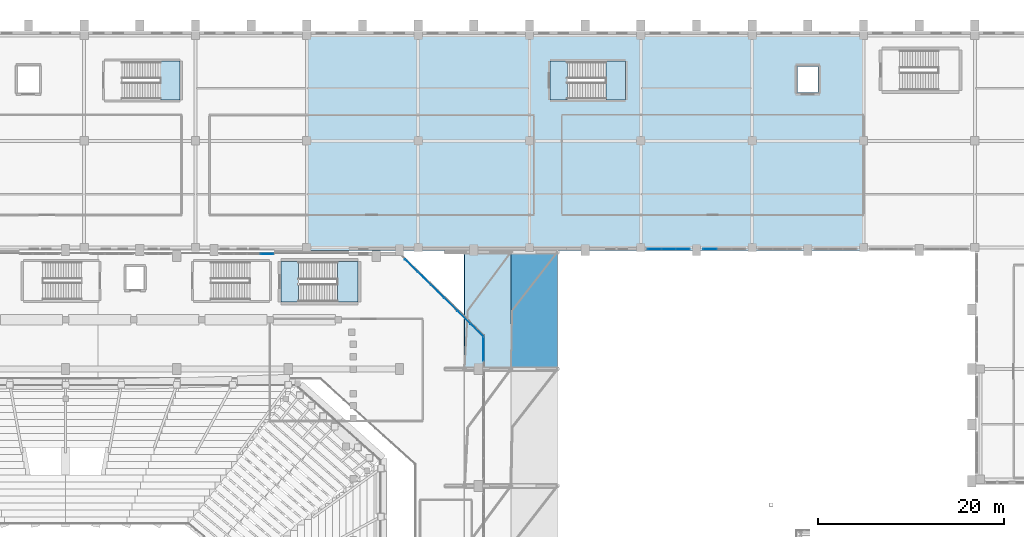
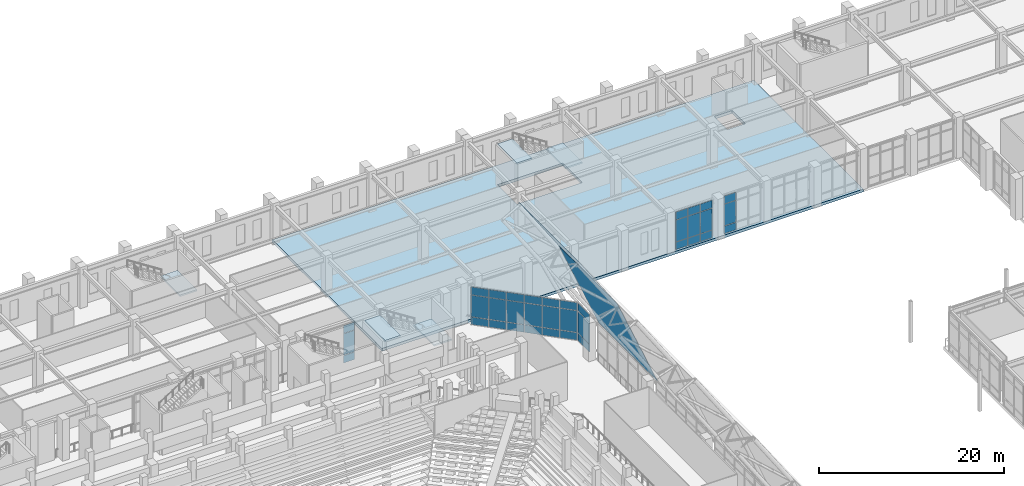
# One storey, part 108 of 159: 38 plates, 6 slabs, 8 elements without a shape of their own.
"""IFC4 building model written with IfcOpenShell, lengths in metres."""

from ifc_helpers import new_model, si_unit, derived_unit, direction, frame, origin, origin_2d, place, context, subcontext, project, spatial, polyline, rectangle, outline, extrude, material, layer, layer_set, type_object, element, aggregate, save


model = new_model("IFC4")

# Units and contexts
model_context = context("Model", 3, precision=1e-05, world=origin(), true_north=direction((0.0, 1.0)))
body_context = subcontext(model_context, "Body", "Model", "MODEL_VIEW")
ifc_project = project(units=[si_unit("LENGTHUNIT", "METRE"), si_unit("AREAUNIT", "SQUARE_METRE"), si_unit("VOLUMEUNIT", "CUBIC_METRE"), si_unit("PLANEANGLEUNIT", "RADIAN"), si_unit("MASSUNIT", "GRAM", prefix="KILO"), derived_unit("THERMALTRANSMITTANCEUNIT", [(si_unit("MASSUNIT", "GRAM", prefix="KILO"), 1), (si_unit("TIMEUNIT", "SECOND"), -3), (si_unit("THERMODYNAMICTEMPERATUREUNIT", "KELVIN"), -1)])], contexts=[model_context])

# Site, building, storey
site_placement = place(None, origin())
site = spatial("IfcSite", under=ifc_project, at=site_placement, CompositionType="ELEMENT")
building_placement = place(site_placement, origin())
building = spatial("IfcBuilding", under=site, at=building_placement, Name="Valcora Ridge Arena", CompositionType="ELEMENT")
storey_placement = place(building_placement, frame((0.0, 0.0, 6.0)))
storey = spatial("IfcBuildingStorey", under=building, at=storey_placement, Name="L01", CompositionType="ELEMENT", Elevation=6.0)

# Stair, slab
ifc_material_1 = material(Name="Concrete C40/50", Category="concrete")
stair_type_1 = type_object("IfcStairType", Name="TY-STAIR-ES09-54", PredefinedType="HALF_TURN_STAIR", material=ifc_material_1)
stair_1_placement = place(storey_placement, origin())
stair_1 = element("IfcStair", 1, at=stair_1_placement, inside=storey, type_object=stair_type_1, Name="ES09-54 STR-ES-0031", PredefinedType="HALF_TURN_STAIR")
ifc_layer_1 = layer(ifc_material_1, 0.199951171875, Name="Concrete C40/50")
ifc_layer_set_1 = layer_set([ifc_layer_1], Name="Concrete C40/50")
slab_type_1 = type_object("IfcSlabType", Name="TY-LAND-ES09-54", PredefinedType="LANDING", material=ifc_layer_set_1)
slab_1_placement = place(storey_placement, frame((0.0, 0.0, 2.5)))
slab_1 = element("IfcSlab", 2, at=slab_1_placement, type_object=slab_type_1, Name="ES09-54 landing 1", PredefinedType="LANDING", context=body_context, shape_type="SweptSolid", body=[
    extrude(outline(polyline([(68.239990234375, 124.60205078125), (70.35791015625, 124.60205078125), (70.35791015625, 128.798095703125), (68.239990234375, 128.798095703125), (68.239990234375, 124.60205078125)])), origin(), (0.0, 0.0, 1.0), 0.199951171875),
])
aggregate(stair_1, [slab_1])

# Stair, slabs
stair_type_2 = type_object("IfcStairType", Name="TY-STAIR-ES10-54", PredefinedType="HALF_TURN_STAIR", material=ifc_material_1)
stair_2_placement = place(storey_placement, origin())
stair_2 = element("IfcStair", 3, at=stair_2_placement, inside=storey, type_object=stair_type_2, Name="ES10-54 STR-ES-0034", PredefinedType="HALF_TURN_STAIR")
ifc_layer_2 = layer(ifc_material_1, 0.199951171875, Name="Concrete C40/50")
ifc_layer_set_2 = layer_set([ifc_layer_2], Name="Concrete C40/50")
slab_type_2 = type_object("IfcSlabType", Name="TY-LAND-ES10-54", PredefinedType="LANDING", material=ifc_layer_set_2)
slab_2_placement = place(storey_placement, frame((0.0, 0.0, 2.5)))
slab_2 = element("IfcSlab", 4, at=slab_2_placement, type_object=slab_type_2, Name="ES10-54 landing 1", PredefinedType="LANDING", context=body_context, shape_type="SweptSolid", body=[
    extrude(outline(polyline([(116.239990234375, 124.60205078125), (118.35791015625, 124.60205078125), (118.35791015625, 128.798095703125), (116.239990234375, 128.798095703125), (116.239990234375, 124.60205078125)])), origin(), (0.0, 0.0, 1.0), 0.199951171875),
])
slab_3_placement = place(storey_placement, frame((0.0, 0.0, 5.199951171875)))
slab_3 = element("IfcSlab", 5, at=slab_3_placement, type_object=slab_type_2, Name="ES10-54 landing 2", PredefinedType="LANDING", context=body_context, shape_type="SweptSolid", body=[
    extrude(outline(polyline([(110.201904296875, 124.60205078125), (112.080078125, 124.60205078125), (112.080078125, 128.798095703125), (110.201904296875, 128.798095703125), (110.201904296875, 124.60205078125)])), origin(), (0.0, 0.0, 1.0), 0.199951171875),
])
aggregate(stair_2, [slab_2, slab_3])

stair_type_3 = type_object("IfcStairType", Name="TY-STAIR-ST04-54", PredefinedType="HALF_TURN_STAIR", material=ifc_material_1)
stair_3_placement = place(storey_placement, origin())
stair_3 = element("IfcStair", 6, at=stair_3_placement, inside=storey, type_object=stair_type_3, Name="ST04-54 STR-CR-0020", PredefinedType="HALF_TURN_STAIR")
ifc_layer_3 = layer(ifc_material_1, 0.199951171875, Name="Concrete C40/50")
ifc_layer_set_3 = layer_set([ifc_layer_3], Name="Concrete C40/50")
slab_type_3 = type_object("IfcSlabType", Name="TY-LAND-ST04-54", PredefinedType="LANDING", material=ifc_layer_set_3)
slab_4_placement = place(storey_placement, frame((0.0, 0.0, 2.5)))
slab_4 = element("IfcSlab", 7, at=slab_4_placement, type_object=slab_type_3, Name="ST04-54 landing 1", PredefinedType="LANDING", context=body_context, shape_type="SweptSolid", body=[
    extrude(outline(polyline([(87.2900390625, 102.802001953125), (89.51806640625, 102.802001953125), (89.51806640625, 107.197998046875), (87.2900390625, 107.197998046875), (87.2900390625, 102.802001953125)])), origin(), (0.0, 0.0, 1.0), 0.199951171875),
])
slab_5_placement = place(storey_placement, frame((0.0, 0.0, 5.199951171875)))
slab_5 = element("IfcSlab", 8, at=slab_5_placement, type_object=slab_type_3, Name="ST04-54 landing 2", PredefinedType="LANDING", context=body_context, shape_type="SweptSolid", body=[
    extrude(outline(polyline([(81.201904296875, 102.802001953125), (83.1298828125, 102.802001953125), (83.1298828125, 107.197998046875), (81.201904296875, 107.197998046875), (81.201904296875, 102.802001953125)])), origin(), (0.0, 0.0, 1.0), 0.199951171875),
])
aggregate(stair_3, [slab_4, slab_5])

# Plates
ifc_material_2 = material(Name="Steel ASTM A572 Grade 50", Category="steel")
ifc_layer_4 = layer(ifc_material_2, 0.048095703125, Name="Steel ASTM A572 Grade 50")
ifc_layer_set_4 = layer_set([ifc_layer_4], Name="Steel ASTM A572 Grade 50")
plate_type_1 = type_object("IfcPlateType", Name="TY-PLATE-PL-SKIRT-13", PredefinedType="SHEET", material=ifc_layer_set_4)
plate_1_placement = place(storey_placement, frame((101.0, 95.60009765625, 13.45361328125), z_axis=(0.831958588032, 0.0, 0.554837731053), x_axis=(0.554837731053, 0.0, -0.831958588032)))
element("IfcPlate", 9, at=plate_1_placement, inside=storey, type_object=plate_type_1, Name="PL-SKIRT-13 PLT-RF-0013", PredefinedType="SHEET", context=body_context, shape_type="SweptSolid", body=[
    extrude(outline(polyline([(0.0, 0.0), (9.0116438017177, 0.0), (9.0116438017177, 12.599853515625), (0.0, 12.599853515625), (0.0, 0.0)])), origin(), (0.0, 0.0, -1.0), 0.048095703125),
])
ifc_layer_5 = layer(ifc_material_2, 0.048095703125, Name="Steel ASTM A572 Grade 50")
ifc_layer_set_5 = layer_set([ifc_layer_5], Name="Steel ASTM A572 Grade 50")
plate_type_2 = type_object("IfcPlateType", Name="TY-PLATE-PL-SKIRT-14", PredefinedType="SHEET", material=ifc_layer_set_5)
plate_2_placement = place(storey_placement, frame((106.0, 95.60009765625, 5.956298828125), z_axis=(0.922302243293, 0.0, 0.386469367501), x_axis=(0.386469367501, 0.0, -0.922302243293)))
element("IfcPlate", 10, at=plate_2_placement, inside=storey, type_object=plate_type_2, Name="PL-SKIRT-14 PLT-RF-0014", PredefinedType="SHEET", context=body_context, shape_type="SweptSolid", body=[
    extrude(outline(polyline([(0.0, 0.0), (12.963536535956578, 0.0), (12.963536535956578, 12.599853515624996), (0.0, 12.599853515624996), (0.0, 0.0)])), origin(), (0.0, 0.0, -1.0), 0.048095703125),
])

# Curtain wall, plates
ifc_material_3 = material(Name="Anodised dark bronze architectural aluminium 6063-T6", Category="aluminium")
ifc_layer_6 = layer(ifc_material_3, 0.179931640625, Name="Anodised dark bronze architectural aluminium 6063-T6")
ifc_layer_set_6 = layer_set([ifc_layer_6], Name="Anodised dark bronze architectural aluminium 6063-T6")
curtain_wall_type_1 = type_object("IfcCurtainWallType", Name="TY-CURTAINWALL-CW-V1-GOTH-058X50", PredefinedType="NOTDEFINED", material=ifc_layer_set_6)
curtain_wall_1_placement = place(storey_placement, origin())
curtain_wall_1 = element("IfcCurtainWall", 11, at=curtain_wall_1_placement, inside=storey, type_object=curtain_wall_type_1, Name="CW-V1-GOTH-058X50 CW-0105", PredefinedType="NOTDEFINED")
ifc_material_4 = material(Name="Low-iron solar-control double glazing SHGC 0.28", Category="glass")
ifc_layer_7 = layer(ifc_material_4, 0.031982421875, Name="Low-iron solar-control double glazing SHGC 0.28")
ifc_layer_set_7 = layer_set([ifc_layer_7], Name="Low-iron solar-control double glazing SHGC 0.28")
plate_type_3 = type_object("IfcPlateType", Name="TY-PLT-CWP-1350X0960", PredefinedType="CURTAIN_PANEL", material=ifc_layer_set_7)
plate_3_placement = place(storey_placement, frame((79.715087890625, 108.0, 0.06005859375), z_axis=(0.0, 0.0, 1.0), x_axis=(1.0, 0.0, 0.0)))
plate_3 = element("IfcPlate", 12, at=plate_3_placement, type_object=plate_type_3, Name="CW-0105/P03-00", PredefinedType="CURTAIN_PANEL", context=body_context, shape_type="SweptSolid", body=[
    extrude(rectangle(XDim=1.35009765625, YDim=0.031982421875, at=origin_2d()), origin(), (0.0, 0.0, 1.0), 0.9599609375),
])
ifc_layer_8 = layer(ifc_material_4, 0.031982421875, Name="Low-iron solar-control double glazing SHGC 0.28")
ifc_layer_set_8 = layer_set([ifc_layer_8], Name="Low-iron solar-control double glazing SHGC 0.28")
plate_type_4 = type_object("IfcPlateType", Name="TY-PLT-CWP-1350X1010", PredefinedType="CURTAIN_PANEL", material=ifc_layer_set_8)
plate_4_placement = place(storey_placement, frame((79.715087890625, 108.0, 3.97021484375), z_axis=(0.0, 0.0, 1.0), x_axis=(1.0, 0.0, 0.0)))
plate_4 = element("IfcPlate", 13, at=plate_4_placement, type_object=plate_type_4, Name="CW-0105/P03-02", PredefinedType="CURTAIN_PANEL", context=body_context, shape_type="SweptSolid", body=[
    extrude(rectangle(XDim=1.35009765625, YDim=0.031982421875, at=origin_2d()), origin(), (0.0, 0.0, 1.0), 1.010009765625),
])
ifc_layer_9 = layer(ifc_material_4, 0.031982421875, Name="Low-iron solar-control double glazing SHGC 0.28")
ifc_layer_set_9 = layer_set([ifc_layer_9], Name="Low-iron solar-control double glazing SHGC 0.28")
plate_type_5 = type_object("IfcPlateType", Name="TY-PLT-CWP-1350X2830", PredefinedType="CURTAIN_PANEL", material=ifc_layer_set_9)
plate_5_placement = place(storey_placement, frame((79.715087890625, 108.0, 1.080078125), z_axis=(0.0, 0.0, 1.0), x_axis=(1.0, 0.0, 0.0)))
plate_5 = element("IfcPlate", 14, at=plate_5_placement, type_object=plate_type_5, Name="CW-0105/P03-01", PredefinedType="CURTAIN_PANEL", context=body_context, shape_type="SweptSolid", body=[
    extrude(rectangle(XDim=1.35009765625, YDim=0.031982421875, at=origin_2d()), origin(), (0.0, 0.0, 1.0), 2.830078125),
])
aggregate(curtain_wall_1, [plate_3, plate_5, plate_4])

ifc_layer_10 = layer(ifc_material_3, 0.14990234375, Name="Anodised dark bronze architectural aluminium 6063-T6")
ifc_layer_set_10 = layer_set([ifc_layer_10], Name="Anodised dark bronze architectural aluminium 6063-T6")
curtain_wall_type_2 = type_object("IfcCurtainWallType", Name="TY-CURTAINWALL-CW-V5-MED-046X50", PredefinedType="NOTDEFINED", material=ifc_layer_set_10)
curtain_wall_2_placement = place(storey_placement, origin())
curtain_wall_2 = element("IfcCurtainWall", 15, at=curtain_wall_2_placement, inside=storey, type_object=curtain_wall_type_2, Name="CW-V5-MED-046X50 CW-0316", PredefinedType="NOTDEFINED")
ifc_layer_11 = layer(ifc_material_4, 0.028076171875, Name="Low-iron solar-control double glazing SHGC 0.28")
ifc_layer_set_11 = layer_set([ifc_layer_11], Name="Low-iron solar-control double glazing SHGC 0.28")
plate_type_6 = type_object("IfcPlateType", Name="TY-PLT-CWP-1465X0975", PredefinedType="CURTAIN_PANEL", material=ifc_layer_set_11)
plate_6_placement = place(storey_placement, frame((121.472412109375, 108.550048828125, 0.050048828125), z_axis=(0.0, 0.0, 1.0), x_axis=(1.0, 0.0, 0.0)))
plate_6 = element("IfcPlate", 16, at=plate_6_placement, type_object=plate_type_6, Name="CW-0316/P00-00", PredefinedType="CURTAIN_PANEL", context=body_context, shape_type="SweptSolid", body=[
    extrude(rectangle(XDim=1.465087890625, YDim=0.028076171875, at=origin_2d()), origin(), (0.0, 0.0, 1.0), 0.97509765625),
])
plate_7_placement = place(storey_placement, frame((124.527587890625, 108.550048828125, 0.050048828125), z_axis=(0.0, 0.0, 1.0), x_axis=(1.0, 0.0, 0.0)))
plate_7 = element("IfcPlate", 17, at=plate_7_placement, type_object=plate_type_6, Name="CW-0316/P02-00", PredefinedType="CURTAIN_PANEL", context=body_context, shape_type="SweptSolid", body=[
    extrude(rectangle(XDim=1.465087890625, YDim=0.028076171875, at=origin_2d()), origin(), (0.0, 0.0, 1.0), 0.97509765625),
])

# Curtain wall, plate
curtain_wall_3_placement = place(storey_placement, origin())
curtain_wall_3 = element("IfcCurtainWall", 18, at=curtain_wall_3_placement, inside=storey, type_object=curtain_wall_type_2, Name="CW-V5-MED-046X50 CW-0317", PredefinedType="NOTDEFINED")
plate_8_placement = place(storey_placement, frame((127.472412109375, 108.550048828125, 0.050048828125), z_axis=(0.0, 0.0, 1.0), x_axis=(1.0, 0.0, 0.0)))
plate_8 = element("IfcPlate", 19, at=plate_8_placement, type_object=plate_type_6, Name="CW-0317/P00-00", PredefinedType="CURTAIN_PANEL", context=body_context, shape_type="SweptSolid", body=[
    extrude(rectangle(XDim=1.465087890625, YDim=0.028076171875, at=origin_2d()), origin(), (0.0, 0.0, 1.0), 0.97509765625),
])

# Plate
ifc_layer_12 = layer(ifc_material_4, 0.028076171875, Name="Low-iron solar-control double glazing SHGC 0.28")
ifc_layer_set_12 = layer_set([ifc_layer_12], Name="Low-iron solar-control double glazing SHGC 0.28")
plate_type_7 = type_object("IfcPlateType", Name="TY-PLT-CWP-1465X1025", PredefinedType="CURTAIN_PANEL", material=ifc_layer_set_12)
plate_9_placement = place(storey_placement, frame((121.472412109375, 108.550048828125, 3.965087890625), z_axis=(0.0, 0.0, 1.0), x_axis=(1.0, 0.0, 0.0)))
plate_9 = element("IfcPlate", 20, at=plate_9_placement, type_object=plate_type_7, Name="CW-0316/P00-02", PredefinedType="CURTAIN_PANEL", context=body_context, shape_type="SweptSolid", body=[
    extrude(rectangle(XDim=1.465087890625, YDim=0.028076171875, at=origin_2d()), origin(), (0.0, 0.0, 1.0), 1.02490234375),
])

plate_10_placement = place(storey_placement, frame((124.527587890625, 108.550048828125, 3.965087890625), z_axis=(0.0, 0.0, 1.0), x_axis=(1.0, 0.0, 0.0)))
plate_10 = element("IfcPlate", 21, at=plate_10_placement, type_object=plate_type_7, Name="CW-0316/P02-02", PredefinedType="CURTAIN_PANEL", context=body_context, shape_type="SweptSolid", body=[
    extrude(rectangle(XDim=1.465087890625, YDim=0.028076171875, at=origin_2d()), origin(), (0.0, 0.0, 1.0), 1.02490234375),
])

plate_11_placement = place(storey_placement, frame((127.472412109375, 108.550048828125, 3.965087890625), z_axis=(0.0, 0.0, 1.0), x_axis=(1.0, 0.0, 0.0)))
plate_11 = element("IfcPlate", 22, at=plate_11_placement, type_object=plate_type_7, Name="CW-0317/P00-02", PredefinedType="CURTAIN_PANEL", context=body_context, shape_type="SweptSolid", body=[
    extrude(rectangle(XDim=1.465087890625, YDim=0.028076171875, at=origin_2d()), origin(), (0.0, 0.0, 1.0), 1.02490234375),
])

ifc_layer_13 = layer(ifc_material_4, 0.028076171875, Name="Low-iron solar-control double glazing SHGC 0.28")
ifc_layer_set_13 = layer_set([ifc_layer_13], Name="Low-iron solar-control double glazing SHGC 0.28")
plate_type_8 = type_object("IfcPlateType", Name="TY-PLT-CWP-1465X2840", PredefinedType="CURTAIN_PANEL", material=ifc_layer_set_13)
plate_12_placement = place(storey_placement, frame((121.472412109375, 108.550048828125, 1.0751953125), z_axis=(0.0, 0.0, 1.0), x_axis=(1.0, 0.0, 0.0)))
plate_12 = element("IfcPlate", 23, at=plate_12_placement, type_object=plate_type_8, Name="CW-0316/P00-01", PredefinedType="CURTAIN_PANEL", context=body_context, shape_type="SweptSolid", body=[
    extrude(rectangle(XDim=1.465087890625, YDim=0.028076171875, at=origin_2d()), origin(), (0.0, 0.0, 1.0), 2.840087890625),
])

plate_13_placement = place(storey_placement, frame((124.527587890625, 108.550048828125, 1.0751953125), z_axis=(0.0, 0.0, 1.0), x_axis=(1.0, 0.0, 0.0)))
plate_13 = element("IfcPlate", 24, at=plate_13_placement, type_object=plate_type_8, Name="CW-0316/P02-01", PredefinedType="CURTAIN_PANEL", context=body_context, shape_type="SweptSolid", body=[
    extrude(rectangle(XDim=1.465087890625, YDim=0.028076171875, at=origin_2d()), origin(), (0.0, 0.0, 1.0), 2.840087890625),
])

plate_14_placement = place(storey_placement, frame((127.472412109375, 108.550048828125, 1.0751953125), z_axis=(0.0, 0.0, 1.0), x_axis=(1.0, 0.0, 0.0)))
plate_14 = element("IfcPlate", 25, at=plate_14_placement, type_object=plate_type_8, Name="CW-0317/P00-01", PredefinedType="CURTAIN_PANEL", context=body_context, shape_type="SweptSolid", body=[
    extrude(rectangle(XDim=1.465087890625, YDim=0.028076171875, at=origin_2d()), origin(), (0.0, 0.0, 1.0), 2.840087890625),
])

aggregate(curtain_wall_3, [plate_8, plate_14, plate_11])

ifc_layer_14 = layer(ifc_material_4, 0.028076171875, Name="Low-iron solar-control double glazing SHGC 0.28")
ifc_layer_set_14 = layer_set([ifc_layer_14], Name="Low-iron solar-control double glazing SHGC 0.28")
plate_type_9 = type_object("IfcPlateType", Name="TY-PLT-CWP-1490X0975", PredefinedType="CURTAIN_PANEL", material=ifc_layer_set_14)
plate_15_placement = place(storey_placement, frame((123.0, 108.550048828125, 0.050048828125), z_axis=(0.0, 0.0, 1.0), x_axis=(1.0, 0.0, 0.0)))
plate_15 = element("IfcPlate", 26, at=plate_15_placement, type_object=plate_type_9, Name="CW-0316/P01-00", PredefinedType="CURTAIN_PANEL", context=body_context, shape_type="SweptSolid", body=[
    extrude(rectangle(XDim=1.489990234375, YDim=0.028076171875, at=origin_2d()), origin(), (0.0, 0.0, 1.0), 0.97509765625),
])

ifc_layer_15 = layer(ifc_material_4, 0.028076171875, Name="Low-iron solar-control double glazing SHGC 0.28")
ifc_layer_set_15 = layer_set([ifc_layer_15], Name="Low-iron solar-control double glazing SHGC 0.28")
plate_type_10 = type_object("IfcPlateType", Name="TY-PLT-CWP-1490X1025", PredefinedType="CURTAIN_PANEL", material=ifc_layer_set_15)
plate_16_placement = place(storey_placement, frame((123.0, 108.550048828125, 3.965087890625), z_axis=(0.0, 0.0, 1.0), x_axis=(1.0, 0.0, 0.0)))
plate_16 = element("IfcPlate", 27, at=plate_16_placement, type_object=plate_type_10, Name="CW-0316/P01-02", PredefinedType="CURTAIN_PANEL", context=body_context, shape_type="SweptSolid", body=[
    extrude(rectangle(XDim=1.489990234375, YDim=0.028076171875, at=origin_2d()), origin(), (0.0, 0.0, 1.0), 1.02490234375),
])

ifc_layer_16 = layer(ifc_material_4, 0.028076171875, Name="Low-iron solar-control double glazing SHGC 0.28")
ifc_layer_set_16 = layer_set([ifc_layer_16], Name="Low-iron solar-control double glazing SHGC 0.28")
plate_type_11 = type_object("IfcPlateType", Name="TY-PLT-CWP-1490X2840", PredefinedType="CURTAIN_PANEL", material=ifc_layer_set_16)
plate_17_placement = place(storey_placement, frame((123.0, 108.550048828125, 1.0751953125), z_axis=(0.0, 0.0, 1.0), x_axis=(1.0, 0.0, 0.0)))
plate_17 = element("IfcPlate", 28, at=plate_17_placement, type_object=plate_type_11, Name="CW-0316/P01-01", PredefinedType="CURTAIN_PANEL", context=body_context, shape_type="SweptSolid", body=[
    extrude(rectangle(XDim=1.489990234375, YDim=0.028076171875, at=origin_2d()), origin(), (0.0, 0.0, 1.0), 2.840087890625),
])

aggregate(curtain_wall_2, [plate_6, plate_12, plate_9, plate_15, plate_17, plate_16, plate_7, plate_13, plate_10])

# Curtain wall, plates
ifc_layer_17 = layer(ifc_material_3, 0.14990234375, Name="Anodised dark bronze architectural aluminium 6063-T6")
ifc_layer_set_17 = layer_set([ifc_layer_17], Name="Anodised dark bronze architectural aluminium 6063-T6")
curtain_wall_type_3 = type_object("IfcCurtainWallType", Name="TY-CURTAINWALL-CW-V1-EAST-119X50", PredefinedType="NOTDEFINED", material=ifc_layer_set_17)
curtain_wall_4_placement = place(storey_placement, origin())
curtain_wall_4 = element("IfcCurtainWall", 29, at=curtain_wall_4_placement, inside=storey, type_object=curtain_wall_type_3, Name="CW-V1-EAST-119X50 CW-0113", PredefinedType="NOTDEFINED")
ifc_layer_18 = layer(ifc_material_4, 0.028076171875, Name="Low-iron solar-control double glazing SHGC 0.28")
ifc_layer_set_18 = layer_set([ifc_layer_18], Name="Low-iron solar-control double glazing SHGC 0.28")
plate_type_12 = type_object("IfcPlateType", Name="TY-PLT-CWP-1911X0975", PredefinedType="CURTAIN_PANEL", material=ifc_layer_set_18)
plate_18_placement = place(storey_placement, frame((102.333740234375, 99.788818359375, 0.050048828125), z_axis=(0.0, 0.0, 1.0), x_axis=(-0.712327450466, 0.701847279194, 0.0)))
plate_18 = element("IfcPlate", 30, at=plate_18_placement, type_object=plate_type_12, Name="CW-0113/P00-00", PredefinedType="CURTAIN_PANEL", context=body_context, shape_type="SweptSolid", body=[
    extrude(rectangle(XDim=1.910888671875, YDim=0.028076171875, at=origin_2d()), origin(), (0.0, 0.0, 1.0), 0.97509765625),
])
plate_19_placement = place(storey_placement, frame((95.276611328125, 106.741943359375, 0.050048828125), z_axis=(0.0, 0.0, 1.0), x_axis=(-0.712327450466, 0.701847279194, 0.0)))
plate_19 = element("IfcPlate", 31, at=plate_19_placement, type_object=plate_type_12, Name="CW-0113/P05-00", PredefinedType="CURTAIN_PANEL", context=body_context, shape_type="SweptSolid", body=[
    extrude(rectangle(XDim=1.910888671875, YDim=0.028076171875, at=origin_2d()), origin(), (0.0, 0.0, 1.0), 0.97509765625),
])
ifc_layer_19 = layer(ifc_material_4, 0.028076171875, Name="Low-iron solar-control double glazing SHGC 0.28")
ifc_layer_set_19 = layer_set([ifc_layer_19], Name="Low-iron solar-control double glazing SHGC 0.28")
plate_type_13 = type_object("IfcPlateType", Name="TY-PLT-CWP-1911X1025", PredefinedType="CURTAIN_PANEL", material=ifc_layer_set_19)
plate_20_placement = place(storey_placement, frame((102.333740234375, 99.788818359375, 3.965087890625), z_axis=(0.0, 0.0, 1.0), x_axis=(-0.712327450466, 0.701847279194, 0.0)))
plate_20 = element("IfcPlate", 32, at=plate_20_placement, type_object=plate_type_13, Name="CW-0113/P00-02", PredefinedType="CURTAIN_PANEL", context=body_context, shape_type="SweptSolid", body=[
    extrude(rectangle(XDim=1.910888671875, YDim=0.028076171875, at=origin_2d()), origin(), (0.0, 0.0, 1.0), 1.02490234375),
])
plate_21_placement = place(storey_placement, frame((95.276611328125, 106.741943359375, 3.965087890625), z_axis=(0.0, 0.0, 1.0), x_axis=(-0.712327450466, 0.701847279194, 0.0)))
plate_21 = element("IfcPlate", 33, at=plate_21_placement, type_object=plate_type_13, Name="CW-0113/P05-02", PredefinedType="CURTAIN_PANEL", context=body_context, shape_type="SweptSolid", body=[
    extrude(rectangle(XDim=1.910888671875, YDim=0.028076171875, at=origin_2d()), origin(), (0.0, 0.0, 1.0), 1.02490234375),
])
ifc_layer_20 = layer(ifc_material_4, 0.028076171875, Name="Low-iron solar-control double glazing SHGC 0.28")
ifc_layer_set_20 = layer_set([ifc_layer_20], Name="Low-iron solar-control double glazing SHGC 0.28")
plate_type_14 = type_object("IfcPlateType", Name="TY-PLT-CWP-1911X2840", PredefinedType="CURTAIN_PANEL", material=ifc_layer_set_20)
plate_22_placement = place(storey_placement, frame((102.333740234375, 99.788818359375, 1.0751953125), z_axis=(0.0, 0.0, 1.0), x_axis=(-0.712327450466, 0.701847279194, 0.0)))
plate_22 = element("IfcPlate", 34, at=plate_22_placement, type_object=plate_type_14, Name="CW-0113/P00-01", PredefinedType="CURTAIN_PANEL", context=body_context, shape_type="SweptSolid", body=[
    extrude(rectangle(XDim=1.910888671875, YDim=0.028076171875, at=origin_2d()), origin(), (0.0, 0.0, 1.0), 2.840087890625),
])
plate_23_placement = place(storey_placement, frame((95.276611328125, 106.741943359375, 1.0751953125), z_axis=(0.0, 0.0, 1.0), x_axis=(-0.712327450466, 0.701847279194, 0.0)))
plate_23 = element("IfcPlate", 35, at=plate_23_placement, type_object=plate_type_14, Name="CW-0113/P05-01", PredefinedType="CURTAIN_PANEL", context=body_context, shape_type="SweptSolid", body=[
    extrude(rectangle(XDim=1.910888671875, YDim=0.028076171875, at=origin_2d()), origin(), (0.0, 0.0, 1.0), 2.840087890625),
])
ifc_layer_21 = layer(ifc_material_4, 0.028076171875, Name="Low-iron solar-control double glazing SHGC 0.28")
ifc_layer_set_21 = layer_set([ifc_layer_21], Name="Low-iron solar-control double glazing SHGC 0.28")
plate_type_15 = type_object("IfcPlateType", Name="TY-PLT-CWP-1936X0975", PredefinedType="CURTAIN_PANEL", material=ifc_layer_set_21)
plate_24_placement = place(storey_placement, frame((99.5126953125, 102.568603515625, 0.050048828125), z_axis=(0.0, 0.0, 1.0), x_axis=(-0.712327450466, 0.701847279194, 0.0)))
plate_24 = element("IfcPlate", 36, at=plate_24_placement, type_object=plate_type_15, Name="CW-0113/P02-00", PredefinedType="CURTAIN_PANEL", context=body_context, shape_type="SweptSolid", body=[
    extrude(rectangle(XDim=1.93603515625, YDim=0.028076171875, at=origin_2d()), origin(), (0.0, 0.0, 1.0), 0.97509765625),
])
plate_25_placement = place(storey_placement, frame((96.6826171875, 105.35693359375, 0.050048828125), z_axis=(0.0, 0.0, 1.0), x_axis=(-0.712327450466, 0.701847279194, 0.0)))
plate_25 = element("IfcPlate", 37, at=plate_25_placement, type_object=plate_type_15, Name="CW-0113/P04-00", PredefinedType="CURTAIN_PANEL", context=body_context, shape_type="SweptSolid", body=[
    extrude(rectangle(XDim=1.93603515625, YDim=0.028076171875, at=origin_2d()), origin(), (0.0, 0.0, 1.0), 0.97509765625),
])
ifc_layer_22 = layer(ifc_material_4, 0.028076171875, Name="Low-iron solar-control double glazing SHGC 0.28")
ifc_layer_set_22 = layer_set([ifc_layer_22], Name="Low-iron solar-control double glazing SHGC 0.28")
plate_type_16 = type_object("IfcPlateType", Name="TY-PLT-CWP-1936X1025", PredefinedType="CURTAIN_PANEL", material=ifc_layer_set_22)
plate_26_placement = place(storey_placement, frame((99.5126953125, 102.568603515625, 3.965087890625), z_axis=(0.0, 0.0, 1.0), x_axis=(-0.712327450466, 0.701847279194, 0.0)))
plate_26 = element("IfcPlate", 38, at=plate_26_placement, type_object=plate_type_16, Name="CW-0113/P02-02", PredefinedType="CURTAIN_PANEL", context=body_context, shape_type="SweptSolid", body=[
    extrude(rectangle(XDim=1.93603515625, YDim=0.028076171875, at=origin_2d()), origin(), (0.0, 0.0, 1.0), 1.02490234375),
])
plate_27_placement = place(storey_placement, frame((96.6826171875, 105.35693359375, 3.965087890625), z_axis=(0.0, 0.0, 1.0), x_axis=(-0.712327450466, 0.701847279194, 0.0)))
plate_27 = element("IfcPlate", 39, at=plate_27_placement, type_object=plate_type_16, Name="CW-0113/P04-02", PredefinedType="CURTAIN_PANEL", context=body_context, shape_type="SweptSolid", body=[
    extrude(rectangle(XDim=1.93603515625, YDim=0.028076171875, at=origin_2d()), origin(), (0.0, 0.0, 1.0), 1.02490234375),
])
ifc_layer_23 = layer(ifc_material_4, 0.028076171875, Name="Low-iron solar-control double glazing SHGC 0.28")
ifc_layer_set_23 = layer_set([ifc_layer_23], Name="Low-iron solar-control double glazing SHGC 0.28")
plate_type_17 = type_object("IfcPlateType", Name="TY-PLT-CWP-1936X2840", PredefinedType="CURTAIN_PANEL", material=ifc_layer_set_23)
plate_28_placement = place(storey_placement, frame((99.5126953125, 102.568603515625, 1.0751953125), z_axis=(0.0, 0.0, 1.0), x_axis=(-0.712327450466, 0.701847279194, 0.0)))
plate_28 = element("IfcPlate", 40, at=plate_28_placement, type_object=plate_type_17, Name="CW-0113/P02-01", PredefinedType="CURTAIN_PANEL", context=body_context, shape_type="SweptSolid", body=[
    extrude(rectangle(XDim=1.93603515625, YDim=0.028076171875, at=origin_2d()), origin(), (0.0, 0.0, 1.0), 2.840087890625),
])
plate_29_placement = place(storey_placement, frame((96.6826171875, 105.35693359375, 1.0751953125), z_axis=(0.0, 0.0, 1.0), x_axis=(-0.712327450466, 0.701847279194, 0.0)))
plate_29 = element("IfcPlate", 41, at=plate_29_placement, type_object=plate_type_17, Name="CW-0113/P04-01", PredefinedType="CURTAIN_PANEL", context=body_context, shape_type="SweptSolid", body=[
    extrude(rectangle(XDim=1.93603515625, YDim=0.028076171875, at=origin_2d()), origin(), (0.0, 0.0, 1.0), 2.840087890625),
])
ifc_layer_24 = layer(ifc_material_4, 0.028076171875, Name="Low-iron solar-control double glazing SHGC 0.28")
ifc_layer_set_24 = layer_set([ifc_layer_24], Name="Low-iron solar-control double glazing SHGC 0.28")
plate_type_18 = type_object("IfcPlateType", Name="TY-PLT-CWP-1937X0975", PredefinedType="CURTAIN_PANEL", material=ifc_layer_set_24)
plate_30_placement = place(storey_placement, frame((100.927490234375, 101.17431640625, 0.050048828125), z_axis=(0.0, 0.0, 1.0), x_axis=(-0.712327450466, 0.701847279194, 0.0)))
plate_30 = element("IfcPlate", 42, at=plate_30_placement, type_object=plate_type_18, Name="CW-0113/P01-00", PredefinedType="CURTAIN_PANEL", context=body_context, shape_type="SweptSolid", body=[
    extrude(rectangle(XDim=1.93701171875, YDim=0.028076171875, at=origin_2d()), origin(), (0.0, 0.0, 1.0), 0.97509765625),
])
plate_31_placement = place(storey_placement, frame((98.097412109375, 103.962646484375, 0.050048828125), z_axis=(0.0, 0.0, 1.0), x_axis=(-0.712327450466, 0.701847279194, 0.0)))
plate_31 = element("IfcPlate", 43, at=plate_31_placement, type_object=plate_type_18, Name="CW-0113/P03-00", PredefinedType="CURTAIN_PANEL", context=body_context, shape_type="SweptSolid", body=[
    extrude(rectangle(XDim=1.93701171875, YDim=0.028076171875, at=origin_2d()), origin(), (0.0, 0.0, 1.0), 0.97509765625),
])
ifc_layer_25 = layer(ifc_material_4, 0.028076171875, Name="Low-iron solar-control double glazing SHGC 0.28")
ifc_layer_set_25 = layer_set([ifc_layer_25], Name="Low-iron solar-control double glazing SHGC 0.28")
plate_type_19 = type_object("IfcPlateType", Name="TY-PLT-CWP-1937X1025", PredefinedType="CURTAIN_PANEL", material=ifc_layer_set_25)
plate_32_placement = place(storey_placement, frame((100.927490234375, 101.17431640625, 3.965087890625), z_axis=(0.0, 0.0, 1.0), x_axis=(-0.712327450466, 0.701847279194, 0.0)))
plate_32 = element("IfcPlate", 44, at=plate_32_placement, type_object=plate_type_19, Name="CW-0113/P01-02", PredefinedType="CURTAIN_PANEL", context=body_context, shape_type="SweptSolid", body=[
    extrude(rectangle(XDim=1.93701171875, YDim=0.028076171875, at=origin_2d()), origin(), (0.0, 0.0, 1.0), 1.02490234375),
])
plate_33_placement = place(storey_placement, frame((98.097412109375, 103.962646484375, 3.965087890625), z_axis=(0.0, 0.0, 1.0), x_axis=(-0.712327450466, 0.701847279194, 0.0)))
plate_33 = element("IfcPlate", 45, at=plate_33_placement, type_object=plate_type_19, Name="CW-0113/P03-02", PredefinedType="CURTAIN_PANEL", context=body_context, shape_type="SweptSolid", body=[
    extrude(rectangle(XDim=1.93701171875, YDim=0.028076171875, at=origin_2d()), origin(), (0.0, 0.0, 1.0), 1.02490234375),
])
ifc_layer_26 = layer(ifc_material_4, 0.028076171875, Name="Low-iron solar-control double glazing SHGC 0.28")
ifc_layer_set_26 = layer_set([ifc_layer_26], Name="Low-iron solar-control double glazing SHGC 0.28")
plate_type_20 = type_object("IfcPlateType", Name="TY-PLT-CWP-1937X2840", PredefinedType="CURTAIN_PANEL", material=ifc_layer_set_26)
plate_34_placement = place(storey_placement, frame((100.927490234375, 101.17431640625, 1.0751953125), z_axis=(0.0, 0.0, 1.0), x_axis=(-0.712327450466, 0.701847279194, 0.0)))
plate_34 = element("IfcPlate", 46, at=plate_34_placement, type_object=plate_type_20, Name="CW-0113/P01-01", PredefinedType="CURTAIN_PANEL", context=body_context, shape_type="SweptSolid", body=[
    extrude(rectangle(XDim=1.93701171875, YDim=0.028076171875, at=origin_2d()), origin(), (0.0, 0.0, 1.0), 2.840087890625),
])
plate_35_placement = place(storey_placement, frame((98.097412109375, 103.962646484375, 1.0751953125), z_axis=(0.0, 0.0, 1.0), x_axis=(-0.712327450466, 0.701847279194, 0.0)))
plate_35 = element("IfcPlate", 47, at=plate_35_placement, type_object=plate_type_20, Name="CW-0113/P03-01", PredefinedType="CURTAIN_PANEL", context=body_context, shape_type="SweptSolid", body=[
    extrude(rectangle(XDim=1.93701171875, YDim=0.028076171875, at=origin_2d()), origin(), (0.0, 0.0, 1.0), 2.840087890625),
])
aggregate(curtain_wall_4, [plate_18, plate_22, plate_20, plate_30, plate_34, plate_32, plate_24, plate_28, plate_26, plate_31, plate_35, plate_33, plate_25, plate_29, plate_27, plate_19, plate_23, plate_21])

ifc_layer_27 = layer(ifc_material_3, 0.14990234375, Name="Anodised dark bronze architectural aluminium 6063-T6")
ifc_layer_set_27 = layer_set([ifc_layer_27], Name="Anodised dark bronze architectural aluminium 6063-T6")
curtain_wall_type_4 = type_object("IfcCurtainWallType", Name="TY-CURTAINWALL-CW-V1-EAST-026X50", PredefinedType="NOTDEFINED", material=ifc_layer_set_27)
curtain_wall_5_placement = place(storey_placement, origin())
curtain_wall_5 = element("IfcCurtainWall", 48, at=curtain_wall_5_placement, inside=storey, type_object=curtain_wall_type_4, Name="CW-V1-EAST-026X50 CW-0112", PredefinedType="NOTDEFINED")
ifc_layer_28 = layer(ifc_material_4, 0.028076171875, Name="Low-iron solar-control double glazing SHGC 0.28")
ifc_layer_set_28 = layer_set([ifc_layer_28], Name="Low-iron solar-control double glazing SHGC 0.28")
plate_type_21 = type_object("IfcPlateType", Name="TY-PLT-CWP-2543X0975", PredefinedType="CURTAIN_PANEL", material=ifc_layer_set_28)
plate_36_placement = place(storey_placement, frame((103.050048828125, 97.761474609375, 0.050048828125), z_axis=(0.0, 0.0, 1.0), x_axis=(0.0, 1.0, 0.0)))
plate_36 = element("IfcPlate", 49, at=plate_36_placement, type_object=plate_type_21, Name="CW-0112/P00-00", PredefinedType="CURTAIN_PANEL", context=body_context, shape_type="SweptSolid", body=[
    extrude(rectangle(XDim=2.54296875, YDim=0.028076171875, at=origin_2d()), origin(), (0.0, 0.0, 1.0), 0.97509765625),
])
ifc_layer_29 = layer(ifc_material_4, 0.028076171875, Name="Low-iron solar-control double glazing SHGC 0.28")
ifc_layer_set_29 = layer_set([ifc_layer_29], Name="Low-iron solar-control double glazing SHGC 0.28")
plate_type_22 = type_object("IfcPlateType", Name="TY-PLT-CWP-2543X1025", PredefinedType="CURTAIN_PANEL", material=ifc_layer_set_29)
plate_37_placement = place(storey_placement, frame((103.050048828125, 97.761474609375, 3.965087890625), z_axis=(0.0, 0.0, 1.0), x_axis=(0.0, 1.0, 0.0)))
plate_37 = element("IfcPlate", 50, at=plate_37_placement, type_object=plate_type_22, Name="CW-0112/P00-02", PredefinedType="CURTAIN_PANEL", context=body_context, shape_type="SweptSolid", body=[
    extrude(rectangle(XDim=2.54296875, YDim=0.028076171875, at=origin_2d()), origin(), (0.0, 0.0, 1.0), 1.02490234375),
])
ifc_layer_30 = layer(ifc_material_4, 0.028076171875, Name="Low-iron solar-control double glazing SHGC 0.28")
ifc_layer_set_30 = layer_set([ifc_layer_30], Name="Low-iron solar-control double glazing SHGC 0.28")
plate_type_23 = type_object("IfcPlateType", Name="TY-PLT-CWP-2543X2840", PredefinedType="CURTAIN_PANEL", material=ifc_layer_set_30)
plate_38_placement = place(storey_placement, frame((103.050048828125, 97.761474609375, 1.0751953125), z_axis=(0.0, 0.0, 1.0), x_axis=(0.0, 1.0, 0.0)))
plate_38 = element("IfcPlate", 51, at=plate_38_placement, type_object=plate_type_23, Name="CW-0112/P00-01", PredefinedType="CURTAIN_PANEL", context=body_context, shape_type="SweptSolid", body=[
    extrude(rectangle(XDim=2.54296875, YDim=0.028076171875, at=origin_2d()), origin(), (0.0, 0.0, 1.0), 2.840087890625),
])
aggregate(curtain_wall_5, [plate_36, plate_38, plate_37])

# Slab
ifc_layer_31 = layer(ifc_material_1, 0.360107421875, Name="Concrete C40/50")
ifc_layer_set_31 = layer_set([ifc_layer_31], Name="Concrete C40/50")
slab_type_4 = type_object("IfcSlabType", Name="TY-SLAB-SL-V5-360-C", PredefinedType="FLOOR", material=ifc_layer_set_31)
slab_6_placement = place(storey_placement, frame((0.0, 0.0, -0.360107421875)))
element("IfcSlab", 52, at=slab_6_placement, inside=storey, type_object=slab_type_4, Name="SL-V5-360-C SLB-0071", PredefinedType="FLOOR", context=body_context, shape_type="SweptSolid", body=[
    extrude(outline(polyline([(84.0, 132.0), (84.0, 108.35009765625), (144.0, 108.35009765625), (144.0, 132.0), (84.0, 132.0)]), holes=[polyline([(118.360107421875, 128.800048828125), (110.199951171875, 128.800048828125), (110.199951171875, 124.60009765625), (118.360107421875, 124.60009765625), (118.360107421875, 128.800048828125)]), polyline([(139.1201171875, 128.219970703125), (136.8798828125, 128.219970703125), (136.8798828125, 125.3798828125), (139.1201171875, 125.3798828125), (139.1201171875, 128.219970703125)])]), origin(), (0.0, 0.0, 1.0), 0.360107421875),
])

save(model, "model.ifc")
